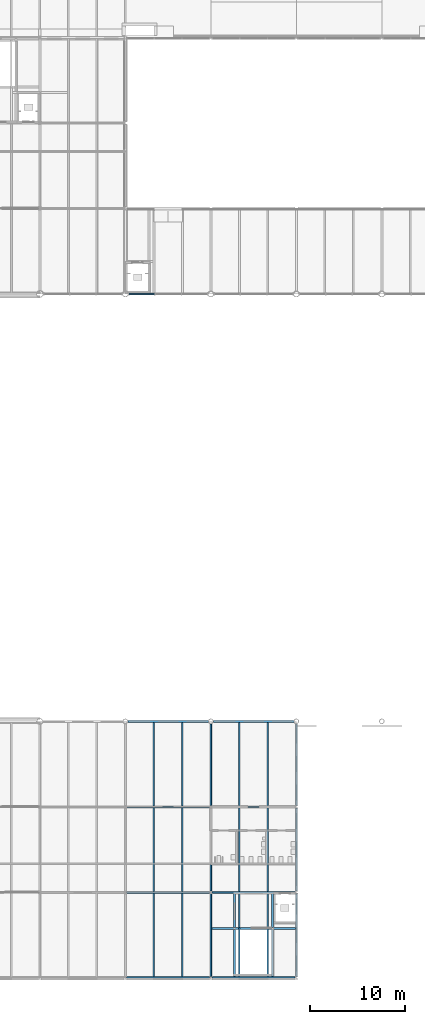
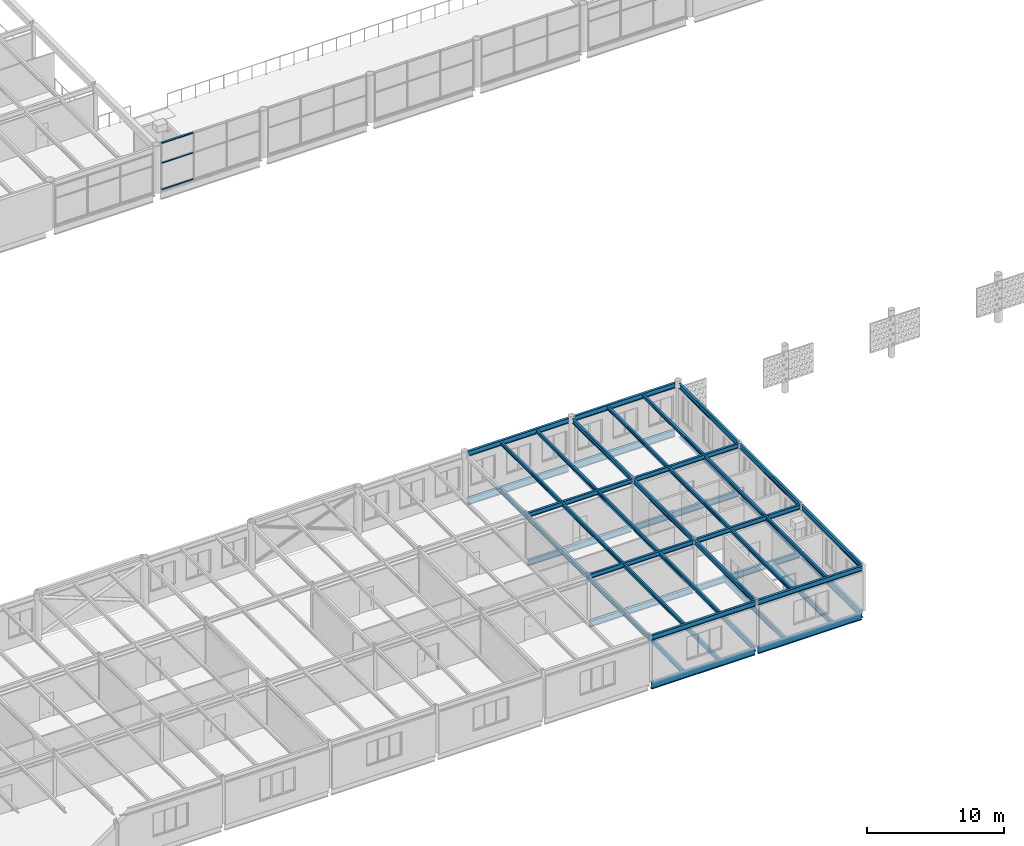
# One storey, part 40 of 123: 57 beams, 3 members, 1 element without a shape of its own.
"""IFC4 building model written with IfcOpenShell, lengths in metres."""

import ifcopenshell
import ifcopenshell.guid

model = None  # the IFC model being written
_history = None  # IfcOwnerHistory: only IFC2X3 demands one
_inside = {}  # id of a spatial element -> (the spatial element, [elements in it])
_under = {}  # id of a project, library or spatial element -> (it, [spatial elements below it])
_declared = {}  # id of a project -> (the project, [libraries it declares])
_typed = {}  # id of a type object -> (the type object, [elements of that type])
_made_of = {}  # id of a material, layer set ... -> (it, [elements and type objects made of it])


def new_model(schema):
    """Start an empty IFC model of exactly this schema.

    Asked for "IFC4X3", IfcOpenShell would pick the latest addendum, in which some entities
    have other attributes; the version numbers below select the first issue.
    IFC2X3 requires an IfcOwnerHistory on every rooted entity: one is made here for all.
    """
    global model, _history
    if schema == "IFC4X3":
        model = ifcopenshell.file(schema_version=(4, 3, 0, 0))
    else:
        model = ifcopenshell.file(schema=schema)
    _inside.clear()
    _under.clear()
    _declared.clear()
    _typed.clear()
    _made_of.clear()
    _history = None
    if model.schema == "IFC2X3":
        org = make("IfcOrganization", Name="unknown")
        user = make(
            "IfcPersonAndOrganization",
            ThePerson=make("IfcPerson", FamilyName="unknown"),
            TheOrganization=org,
        )
        app = make(
            "IfcApplication",
            ApplicationDeveloper=org,
            Version="unknown",
            ApplicationFullName="unknown",
            ApplicationIdentifier="unknown",
        )
        _history = make(
            "IfcOwnerHistory",
            OwningUser=user,
            OwningApplication=app,
            ChangeAction="ADDED",
            CreationDate=0,
        )
    return model


def make(cls, **values):
    """One entity of the class cls with the attributes given. An attribute that is None is left unset."""
    return model.create_entity(
        cls, **{name: value for name, value in values.items() if value is not None}
    )


def rooted(cls, **values):
    """An entity with a GlobalId (a new one), such as an element, a storey or a relation."""
    return make(cls, GlobalId=ifcopenshell.guid.new(), OwnerHistory=_history, **values)


def si_unit(unit_type, name, prefix=None):
    """IfcSIUnit, for example si_unit("LENGTHUNIT", "METRE", prefix="MILLI")."""
    return make("IfcSIUnit", UnitType=unit_type, Prefix=prefix, Name=name)


def assignment(units):
    """IfcUnitAssignment: the units of a project."""
    return None if units is None else make("IfcUnitAssignment", Units=units)


def point(xyz):
    """IfcCartesianPoint."""
    return None if xyz is None else make("IfcCartesianPoint", Coordinates=xyz)


def direction(xyz):
    """IfcDirection."""
    return None if xyz is None else make("IfcDirection", DirectionRatios=xyz)


def frame(location, z_axis=None, x_axis=None):
    """IfcAxis2Placement3D, a coordinate frame: its origin and axes. An axis left out is left unset."""
    return make(
        "IfcAxis2Placement3D",
        Location=point(location),
        Axis=direction(z_axis),
        RefDirection=direction(x_axis),
    )


def frame_2d(location, x_axis=None):
    """IfcAxis2Placement2D, a coordinate frame in the plane: its origin and x axis."""
    return make(
        "IfcAxis2Placement2D", Location=point(location), RefDirection=direction(x_axis)
    )


def origin():
    """The frame at (0, 0, 0) with its axes left unset."""
    return frame((0.0, 0.0, 0.0))


def origin_2d():
    """The frame at (0, 0) in the plane with its x axis left unset."""
    return frame_2d((0.0, 0.0))


def place(relative_to, where):
    """IfcLocalPlacement: puts the frame where relative to a parent placement (None: the world)."""
    return make(
        "IfcLocalPlacement", PlacementRelTo=relative_to, RelativePlacement=where
    )


def context(
    kind, dimensions, precision=None, world=None, true_north=None, identifier=None
):
    """IfcGeometricRepresentationContext, for example the 3D "Model" context."""
    return make(
        "IfcGeometricRepresentationContext",
        ContextIdentifier=identifier,
        ContextType=kind,
        CoordinateSpaceDimension=dimensions,
        Precision=precision,
        WorldCoordinateSystem=world,
        TrueNorth=true_north,
    )


def subcontext(parent, identifier, kind, view, scale=None):
    """IfcGeometricRepresentationSubContext, for example "Body" below "Model"."""
    return make(
        "IfcGeometricRepresentationSubContext",
        ContextIdentifier=identifier,
        ContextType=kind,
        ParentContext=parent,
        TargetScale=scale,
        TargetView=view,
    )


def project(units=None, contexts=None):
    """IfcProject with its units and contexts."""
    return rooted(
        "IfcProject",
        Name="project",
        RepresentationContexts=contexts,
        UnitsInContext=assignment(units),
    )


def spatial(cls, under=None, at=None, **own):
    """A site, building, storey or space (cls), placed at a placement, below another one or the project."""
    s = rooted(cls, ObjectPlacement=at, **own)
    if under is not None:
        _under.setdefault(under.id(), (under, []))[1].append(s)
    return s


def profile(cls, at=None, kind="AREA", **sizes):
    """A parametric profile (cls). Its sizes go by their IFC names, for example OverallWidth=200.0."""
    return make(cls, ProfileType=kind, Position=at, **sizes)


def rectangle(**sizes):
    """IfcRectangleProfileDef."""
    return profile("IfcRectangleProfileDef", **sizes)


def i_section(**sizes):
    """IfcIShapeProfileDef."""
    return profile("IfcIShapeProfileDef", **sizes)


def extrude(swept, where, along, depth):
    """IfcExtrudedAreaSolid: the profile swept, set in the frame where, extruded along a direction by depth."""
    return make(
        "IfcExtrudedAreaSolid",
        SweptArea=swept,
        Position=where,
        ExtrudedDirection=direction(along),
        Depth=depth,
    )


def shape(context_of_items, identifier, shape_type, items):
    """IfcShapeRepresentation: the items that make up one representation, for example the "Body"."""
    return make(
        "IfcShapeRepresentation",
        ContextOfItems=context_of_items,
        RepresentationIdentifier=identifier,
        RepresentationType=shape_type,
        Items=items,
    )


def material(Name=None, Category=None):
    """IfcMaterial."""
    return make("IfcMaterial", Name=Name, Category=Category)


def material_profile(
    of_material, cross_section, Name=None, Category=None, Priority=None
):
    """IfcMaterialProfile: a cross section and its material."""
    return make(
        "IfcMaterialProfile",
        Name=Name,
        Material=of_material,
        Profile=cross_section,
        Priority=Priority,
        Category=Category,
    )


def profile_set(profiles, Name=None, composite=None):
    """IfcMaterialProfileSet."""
    return make(
        "IfcMaterialProfileSet",
        Name=Name,
        MaterialProfiles=profiles,
        CompositeProfile=composite,
    )


def made_of(thing, what):
    """Note that an element or type object is made of a material, layer set ...; save() writes the relation."""
    if what is not None:
        _made_of.setdefault(what.id(), (what, []))[1].append(thing)
    return thing


def type_object(cls, material=None, **own):
    """A type object (cls), such as IfcWallType, which elements share."""
    return made_of(rooted(cls, **own), material)


def element(
    cls,
    number,
    at=None,
    inside=None,
    cuts=None,
    type_object=None,
    material=None,
    context=None,
    identifier="Body",
    shape_type=None,
    held_by="IfcProductDefinitionShape",
    body=None,
    shapes=None,
    **own,
):
    """One element of the class cls, such as IfcWall. Its Tag is "e" and its number.

    at: its placement. inside: the storey or other place that contains it. cuts: it is an
    opening in that element (IfcRelVoidsElement). A single representation is given by context,
    identifier, shape_type and body (its items); several are given by shapes. held_by: the class
    of the entity that holds the representations. save() writes the other relations.
    """
    e = rooted(cls, Tag="e%d" % number, ObjectPlacement=at, **own)
    if body is not None:
        shapes = [shape(context, identifier, shape_type, body)]
    if shapes is not None:
        e.Representation = make(held_by, Representations=shapes)
    if inside is not None:
        _inside.setdefault(inside.id(), (inside, []))[1].append(e)
    if cuts is not None:
        rooted(
            "IfcRelVoidsElement", RelatingBuildingElement=cuts, RelatedOpeningElement=e
        )
    if type_object is not None:
        _typed.setdefault(type_object.id(), (type_object, []))[1].append(e)
    return made_of(e, material)


def aggregate(whole, parts):
    """IfcRelAggregates: a whole, such as a stair, and the parts it consists of."""
    return rooted("IfcRelAggregates", RelatingObject=whole, RelatedObjects=parts)


def save(model, path):
    """Write the relations noted so far, then the file.

    IfcRelAggregates (storeys below a building ...), IfcRelContainedInSpatialStructure (elements
    in a storey), IfcRelDefinesByType, IfcRelAssociatesMaterial and IfcRelDeclares: one each for
    every whole, place, type object, material and project.
    """
    for whole, parts in _under.values():
        aggregate(whole, parts)
    for where, things in _inside.values():
        rooted(
            "IfcRelContainedInSpatialStructure",
            RelatedElements=things,
            RelatingStructure=where,
        )
    for kind, things in _typed.values():
        rooted("IfcRelDefinesByType", RelatedObjects=things, RelatingType=kind)
    for what, things in _made_of.values():
        rooted("IfcRelAssociatesMaterial", RelatedObjects=things, RelatingMaterial=what)
    for by, libraries in _declared.values():
        rooted("IfcRelDeclares", RelatingContext=by, RelatedDefinitions=libraries)
    model.write(path)


model = new_model("IFC4")

# Units and contexts
model_context = context("Model", 3, precision=1e-05, world=origin(), true_north=direction((0.0, 1.0)))
body_context = subcontext(model_context, "Body", "Model", "MODEL_VIEW")
ifc_project = project(units=[si_unit("LENGTHUNIT", "METRE"), si_unit("AREAUNIT", "SQUARE_METRE"), si_unit("VOLUMEUNIT", "CUBIC_METRE"), si_unit("PLANEANGLEUNIT", "RADIAN"), si_unit("MASSUNIT", "GRAM", prefix="KILO")], contexts=[model_context])

# Site, building, storey
site_placement = place(None, origin())
site = spatial("IfcSite", under=ifc_project, at=site_placement, CompositionType="ELEMENT")
building_placement = place(site_placement, origin())
building = spatial("IfcBuilding", under=site, at=building_placement, Name="Baradari Gate Terminus", CompositionType="ELEMENT")
storey_placement = place(building_placement, frame((0.0, 0.0, 7.5)))
storey = spatial("IfcBuildingStorey", under=building, at=storey_placement, Name="L01", CompositionType="ELEMENT", Elevation=7.5)

# Curtain wall, members
ifc_material_1 = material(Name="Aluminium 6063-T6", Category="aluminium")
curtain_wall_type = type_object("IfcCurtainWallType", Name="Curtain wall CW-11 concourse gallery glazing, other height", PredefinedType="NOTDEFINED", material=ifc_material_1)
curtain_wall_placement = place(storey_placement, origin())
curtain_wall = element("IfcCurtainWall", 1, at=curtain_wall_placement, inside=storey, type_object=curtain_wall_type, Name="Glazed curtain wall CW-11 HS bay 16 L01", PredefinedType="NOTDEFINED")
ifc_material_2 = material(Name="Aluminium 6063-T6", Category="aluminium")
ifc_material_profile_1 = material_profile(ifc_material_2, rectangle(XDim=0.159912109375, YDim=0.080078125, at=origin_2d()), Name="CT-11 80X160")
ifc_profile_set_1 = profile_set([ifc_material_profile_1], Name="Aluminium 6063-T6")
member_type = type_object("IfcMemberType", Name="Curtain wall transom CT-11 80x160", PredefinedType="USERDEFINED", material=ifc_profile_set_1)
member_1_placement = place(storey_placement, frame((135.385009765625, 81.0, 0.0400390625), z_axis=(1.0, 0.0, 0.0), x_axis=(0.0, 1.0, 0.0)))
member_1 = element("IfcMember", 2, at=member_1_placement, type_object=member_type, Name="CW-11 transom 1.1", ObjectType="TRANSOM", PredefinedType="USERDEFINED", context=body_context, shape_type="SweptSolid", body=[
    extrude(rectangle(XDim=0.159912109375, YDim=0.080078125, at=origin_2d()), origin(), (0.0, 0.0, 1.0), 2.6767578125),
])
member_2_placement = place(storey_placement, frame((135.385009765625, 81.0, 2.39990234375), z_axis=(1.0, 0.0, 0.0), x_axis=(0.0, 1.0, 0.0)))
member_2 = element("IfcMember", 3, at=member_2_placement, type_object=member_type, Name="CW-11 transom 1.2", ObjectType="TRANSOM", PredefinedType="USERDEFINED", context=body_context, shape_type="SweptSolid", body=[
    extrude(rectangle(XDim=0.159912109375, YDim=0.080078125, at=origin_2d()), origin(), (0.0, 0.0, 1.0), 2.6767578125),
])
member_3_placement = place(storey_placement, frame((135.385009765625, 81.0, 4.159912109375), z_axis=(1.0, 0.0, 0.0), x_axis=(0.0, 1.0, 0.0)))
member_3 = element("IfcMember", 4, at=member_3_placement, type_object=member_type, Name="CW-11 transom 1.3", ObjectType="TRANSOM", PredefinedType="USERDEFINED", context=body_context, shape_type="SweptSolid", body=[
    extrude(rectangle(XDim=0.159912109375, YDim=0.080078125, at=origin_2d()), origin(), (0.0, 0.0, 1.0), 2.6767578125),
])
aggregate(curtain_wall, [member_1, member_2, member_3])

# Beams
ifc_material_3 = material(Name="Steel S355", Category="steel")
ifc_material_profile_2 = material_profile(ifc_material_3, i_section(OverallWidth=0.19140625, OverallDepth=0.4599609375, WebThickness=0.010009765625, FlangeThickness=0.01611328125, FilletRadius=0.01025390625, at=origin_2d()), Name="UB 457x191x82")
ifc_profile_set_2 = profile_set([ifc_material_profile_2], Name="Steel S355")
beam_type_1 = type_object("IfcBeamType", Name="South wing cross girder B18 UB 457x191x82", PredefinedType="BEAM", material=ifc_profile_set_2)
beam_1_placement = place(storey_placement, frame((144.0, 9.127197265625, -0.360107421875), z_axis=(0.0, 1.0, 0.0), x_axis=(-1.0, 0.0, 0.0)))
element("IfcBeam", 5, at=beam_1_placement, inside=storey, type_object=beam_type_1, Name="South wing cross girder B18 17:9.127-17.87 L01", PredefinedType="BEAM", context=body_context, shape_type="SweptSolid", body=[
    extrude(i_section(OverallWidth=0.19140625, OverallDepth=0.4599609375, WebThickness=0.010009765625, FlangeThickness=0.01611328125, FilletRadius=0.01025390625, at=origin_2d()), origin(), (0.0, 0.0, 1.0), 8.74267578125),
])
beam_2_placement = place(storey_placement, frame((144.0, 18.130126953125, -0.360107421875), z_axis=(0.0, 1.0, 0.0), x_axis=(-1.0, 0.0, 0.0)))
element("IfcBeam", 6, at=beam_2_placement, inside=storey, type_object=beam_type_1, Name="South wing cross girder B18 17:18.13-26.87 L01", PredefinedType="BEAM", context=body_context, shape_type="SweptSolid", body=[
    extrude(i_section(OverallWidth=0.19140625, OverallDepth=0.4599609375, WebThickness=0.010009765625, FlangeThickness=0.01611328125, FilletRadius=0.01025390625, at=origin_2d()), origin(), (0.0, 0.0, 1.0), 8.73974609375),
])
beam_3_placement = place(storey_placement, frame((144.0, 27.130126953125, -0.360107421875), z_axis=(0.0, 1.0, 0.0), x_axis=(-1.0, 0.0, 0.0)))
element("IfcBeam", 7, at=beam_3_placement, inside=storey, type_object=beam_type_1, Name="South wing cross girder B18 17:27.13-35.746 L01", PredefinedType="BEAM", context=body_context, shape_type="SweptSolid", body=[
    extrude(i_section(OverallWidth=0.19140625, OverallDepth=0.4599609375, WebThickness=0.010009765625, FlangeThickness=0.01611328125, FilletRadius=0.01025390625, at=origin_2d()), origin(), (0.0, 0.0, 1.0), 8.615966796875),
])
ifc_material_4 = material(Name="Steel S355", Category="steel")
ifc_material_profile_3 = material_profile(ifc_material_4, i_section(OverallWidth=0.2275390625, OverallDepth=0.6025390625, WebThickness=0.010498046875, FlangeThickness=0.014892578125, FilletRadius=0.0126953125, at=origin_2d()), Name="UB 610x229x101")
ifc_profile_set_3 = profile_set([ifc_material_profile_3], Name="Steel S355")
beam_type_2 = type_object("IfcBeamType", Name="South wing edge girder B14 UB 610x229x101", PredefinedType="BEAM", material=ifc_profile_set_3)
for number, where, z_axis, x_axis, name in (
    (8, (135.127197265625, 9.0, -0.431396484375), (1.0, 0.0, 0.0), (0.0, 1.0, 0.0), "South wing edge girder B14 B:135.127-143.873 L01"),
    (9, (144.127197265625, 9.0, -0.431396484375), (1.0, 0.0, 0.0), (0.0, 1.0, 0.0), "South wing edge girder B14 B:144.127-152.873 L01"),
):
    element("IfcBeam", number, at=place(storey_placement, frame(where, z_axis=z_axis, x_axis=x_axis)), inside=storey, type_object=beam_type_2, Name=name, PredefinedType="BEAM", context=body_context, shape_type="SweptSolid", body=[
        extrude(i_section(OverallWidth=0.2275390625, OverallDepth=0.6025390625, WebThickness=0.010498046875, FlangeThickness=0.014892578125, FilletRadius=0.0126953125, at=origin_2d()), origin(), (0.0, 0.0, 1.0), 8.74560546875),
    ])
for number, where, z_axis, x_axis, name in (
    (10, (135.25390625, 36.0, -0.431396484375), (1.0, 0.0, 0.0), (0.0, 1.0, 0.0), "South wing edge girder B14 E:135.254-143.746 L01"),
    (11, (144.25390625, 36.0, -0.431396484375), (1.0, 0.0, 0.0), (0.0, 1.0, 0.0), "South wing edge girder B14 E:144.254-152.746 L01"),
):
    element("IfcBeam", number, at=place(storey_placement, frame(where, z_axis=z_axis, x_axis=x_axis)), inside=storey, type_object=beam_type_2, Name=name, PredefinedType="BEAM", context=body_context, shape_type="SweptSolid", body=[
        extrude(i_section(OverallWidth=0.2275390625, OverallDepth=0.6025390625, WebThickness=0.010498046875, FlangeThickness=0.014892578125, FilletRadius=0.0126953125, at=origin_2d()), origin(), (0.0, 0.0, 1.0), 8.4921875),
    ])
beam_4_placement = place(storey_placement, frame((153.0, 9.127197265625, -0.431396484375), z_axis=(0.0, 1.0, 0.0), x_axis=(-1.0, 0.0, 0.0)))
element("IfcBeam", 12, at=beam_4_placement, inside=storey, type_object=beam_type_2, Name="South wing edge girder B14 18:9.127-17.87 L01", PredefinedType="BEAM", context=body_context, shape_type="SweptSolid", body=[
    extrude(i_section(OverallWidth=0.2275390625, OverallDepth=0.6025390625, WebThickness=0.010498046875, FlangeThickness=0.014892578125, FilletRadius=0.0126953125, at=origin_2d()), origin(), (0.0, 0.0, 1.0), 8.74267578125),
])
beam_5_placement = place(storey_placement, frame((153.0, 18.130126953125, -0.431396484375), z_axis=(0.0, 1.0, 0.0), x_axis=(-1.0, 0.0, 0.0)))
element("IfcBeam", 13, at=beam_5_placement, inside=storey, type_object=beam_type_2, Name="South wing edge girder B14 18:18.13-26.87 L01", PredefinedType="BEAM", context=body_context, shape_type="SweptSolid", body=[
    extrude(i_section(OverallWidth=0.2275390625, OverallDepth=0.6025390625, WebThickness=0.010498046875, FlangeThickness=0.014892578125, FilletRadius=0.0126953125, at=origin_2d()), origin(), (0.0, 0.0, 1.0), 8.73974609375),
])
beam_6_placement = place(storey_placement, frame((153.0, 27.130126953125, -0.431396484375), z_axis=(0.0, 1.0, 0.0), x_axis=(-1.0, 0.0, 0.0)))
element("IfcBeam", 14, at=beam_6_placement, inside=storey, type_object=beam_type_2, Name="South wing edge girder B14 18:27.13-35.746 L01", PredefinedType="BEAM", context=body_context, shape_type="SweptSolid", body=[
    extrude(i_section(OverallWidth=0.2275390625, OverallDepth=0.6025390625, WebThickness=0.010498046875, FlangeThickness=0.014892578125, FilletRadius=0.0126953125, at=origin_2d()), origin(), (0.0, 0.0, 1.0), 8.615966796875),
])
ifc_material_5 = material(Name="Steel S355", Category="steel")
ifc_material_profile_4 = material_profile(ifc_material_5, i_section(OverallWidth=0.210693359375, OverallDepth=0.53955078125, WebThickness=0.01171875, FlangeThickness=0.018798828125, FilletRadius=0.0126953125, at=origin_2d()), Name="UB 533x210x109")
ifc_profile_set_4 = profile_set([ifc_material_profile_4], Name="Steel S355")
beam_type_3 = type_object("IfcBeamType", Name="South wing girder B16 UB 533x210x109", PredefinedType="BEAM", material=ifc_profile_set_4)
for number, where, z_axis, x_axis, name in (
    (15, (135.128173828125, 18.0, -0.399658203125), (1.0, 0.0, 0.0), (0.0, 1.0, 0.0), "South wing girder B16 C:135.128-143.872 L01"),
    (16, (144.128173828125, 18.0, -0.399658203125), (1.0, 0.0, 0.0), (0.0, 1.0, 0.0), "South wing girder B16 C:144.128-152.872 L01"),
    (17, (135.128173828125, 27.0, -0.399658203125), (1.0, 0.0, 0.0), (0.0, 1.0, 0.0), "South wing girder B16 D:135.128-143.872 L01"),
    (18, (144.128173828125, 27.0, -0.399658203125), (1.0, 0.0, 0.0), (0.0, 1.0, 0.0), "South wing girder B16 D:144.128-152.872 L01"),
):
    element("IfcBeam", number, at=place(storey_placement, frame(where, z_axis=z_axis, x_axis=x_axis)), inside=storey, type_object=beam_type_3, Name=name, PredefinedType="BEAM", context=body_context, shape_type="SweptSolid", body=[
        extrude(i_section(OverallWidth=0.210693359375, OverallDepth=0.53955078125, WebThickness=0.01171875, FlangeThickness=0.018798828125, FilletRadius=0.0126953125, at=origin_2d()), origin(), (0.0, 0.0, 1.0), 8.74365234375),
    ])
ifc_material_6 = material(Name="Steel S355", Category="steel")
ifc_material_profile_5 = material_profile(ifc_material_6, i_section(OverallWidth=0.18994140625, OverallDepth=0.453369140625, WebThickness=0.008544921875, FlangeThickness=0.0126953125, FilletRadius=0.01025390625, at=origin_2d()), Name="UB 457x191x67")
ifc_profile_set_5 = profile_set([ifc_material_profile_5], Name="Steel S355")
beam_type_4 = type_object("IfcBeamType", Name="South wing roof edge girder B53 UB 457x191x67", PredefinedType="BEAM", material=ifc_profile_set_5)
for number, where, z_axis, x_axis, name in (
    (19, (135.127197265625, 9.0, 3.8232421875), (1.0, 0.0, 0.0), (0.0, 1.0, 0.0), "South wing roof edge girder B53 B:135.127-143.873 L01"),
    (20, (144.127197265625, 9.0, 3.8232421875), (1.0, 0.0, 0.0), (0.0, 1.0, 0.0), "South wing roof edge girder B53 B:144.127-152.873 L01"),
):
    element("IfcBeam", number, at=place(storey_placement, frame(where, z_axis=z_axis, x_axis=x_axis)), inside=storey, type_object=beam_type_4, Name=name, PredefinedType="BEAM", context=body_context, shape_type="SweptSolid", body=[
        extrude(i_section(OverallWidth=0.18994140625, OverallDepth=0.453369140625, WebThickness=0.008544921875, FlangeThickness=0.0126953125, FilletRadius=0.01025390625, at=origin_2d()), origin(), (0.0, 0.0, 1.0), 8.74560546875),
    ])
for number, where, z_axis, x_axis, name in (
    (21, (135.25390625, 36.0, 3.8232421875), (1.0, 0.0, 0.0), (0.0, 1.0, 0.0), "South wing roof edge girder B53 E:135.254-143.746 L01"),
    (22, (144.25390625, 36.0, 3.8232421875), (1.0, 0.0, 0.0), (0.0, 1.0, 0.0), "South wing roof edge girder B53 E:144.254-152.746 L01"),
):
    element("IfcBeam", number, at=place(storey_placement, frame(where, z_axis=z_axis, x_axis=x_axis)), inside=storey, type_object=beam_type_4, Name=name, PredefinedType="BEAM", context=body_context, shape_type="SweptSolid", body=[
        extrude(i_section(OverallWidth=0.18994140625, OverallDepth=0.453369140625, WebThickness=0.008544921875, FlangeThickness=0.0126953125, FilletRadius=0.01025390625, at=origin_2d()), origin(), (0.0, 0.0, 1.0), 8.4921875),
    ])
beam_7_placement = place(storey_placement, frame((153.0, 9.127197265625, 3.8232421875), z_axis=(0.0, 1.0, 0.0), x_axis=(-1.0, 0.0, 0.0)))
element("IfcBeam", 23, at=beam_7_placement, inside=storey, type_object=beam_type_4, Name="South wing roof edge girder B53 18:9.127-17.87 L01", PredefinedType="BEAM", context=body_context, shape_type="SweptSolid", body=[
    extrude(i_section(OverallWidth=0.18994140625, OverallDepth=0.453369140625, WebThickness=0.008544921875, FlangeThickness=0.0126953125, FilletRadius=0.01025390625, at=origin_2d()), origin(), (0.0, 0.0, 1.0), 8.74267578125),
])
beam_8_placement = place(storey_placement, frame((153.0, 18.130126953125, 3.8232421875), z_axis=(0.0, 1.0, 0.0), x_axis=(-1.0, 0.0, 0.0)))
element("IfcBeam", 24, at=beam_8_placement, inside=storey, type_object=beam_type_4, Name="South wing roof edge girder B53 18:18.13-26.87 L01", PredefinedType="BEAM", context=body_context, shape_type="SweptSolid", body=[
    extrude(i_section(OverallWidth=0.18994140625, OverallDepth=0.453369140625, WebThickness=0.008544921875, FlangeThickness=0.0126953125, FilletRadius=0.01025390625, at=origin_2d()), origin(), (0.0, 0.0, 1.0), 8.73974609375),
])
beam_9_placement = place(storey_placement, frame((153.0, 27.130126953125, 3.8232421875), z_axis=(0.0, 1.0, 0.0), x_axis=(-1.0, 0.0, 0.0)))
element("IfcBeam", 25, at=beam_9_placement, inside=storey, type_object=beam_type_4, Name="South wing roof edge girder B53 18:27.13-35.746 L01", PredefinedType="BEAM", context=body_context, shape_type="SweptSolid", body=[
    extrude(i_section(OverallWidth=0.18994140625, OverallDepth=0.453369140625, WebThickness=0.008544921875, FlangeThickness=0.0126953125, FilletRadius=0.01025390625, at=origin_2d()), origin(), (0.0, 0.0, 1.0), 8.615966796875),
])
ifc_material_7 = material(Name="Steel S355", Category="steel")
ifc_material_profile_6 = material_profile(ifc_material_7, i_section(OverallWidth=0.177978515625, OverallDepth=0.406494140625, WebThickness=0.0078125, FlangeThickness=0.0126953125, FilletRadius=0.01025390625, at=origin_2d()), Name="UB 406x178x60")
ifc_profile_set_6 = profile_set([ifc_material_profile_6], Name="Steel S355")
beam_type_5 = type_object("IfcBeamType", Name="South wing roof girder B54 UB 406x178x60", PredefinedType="BEAM", material=ifc_profile_set_6)
for number, where, z_axis, x_axis, name in (
    (26, (135.128173828125, 18.0, 3.8466796875), (1.0, 0.0, 0.0), (0.0, 1.0, 0.0), "South wing roof girder B54 C:135.128-143.872 L01"),
    (27, (144.128173828125, 18.0, 3.8466796875), (1.0, 0.0, 0.0), (0.0, 1.0, 0.0), "South wing roof girder B54 C:144.128-152.872 L01"),
    (28, (135.128173828125, 27.0, 3.8466796875), (1.0, 0.0, 0.0), (0.0, 1.0, 0.0), "South wing roof girder B54 D:135.128-143.872 L01"),
    (29, (144.128173828125, 27.0, 3.8466796875), (1.0, 0.0, 0.0), (0.0, 1.0, 0.0), "South wing roof girder B54 D:144.128-152.872 L01"),
):
    element("IfcBeam", number, at=place(storey_placement, frame(where, z_axis=z_axis, x_axis=x_axis)), inside=storey, type_object=beam_type_5, Name=name, PredefinedType="BEAM", context=body_context, shape_type="SweptSolid", body=[
        extrude(i_section(OverallWidth=0.177978515625, OverallDepth=0.406494140625, WebThickness=0.0078125, FlangeThickness=0.0126953125, FilletRadius=0.01025390625, at=origin_2d()), origin(), (0.0, 0.0, 1.0), 8.74365234375),
    ])
beam_10_placement = place(storey_placement, frame((144.0, 9.127197265625, 3.8466796875), z_axis=(0.0, 1.0, 0.0), x_axis=(-1.0, 0.0, 0.0)))
element("IfcBeam", 30, at=beam_10_placement, inside=storey, type_object=beam_type_5, Name="South wing roof girder B54 17:9.127-17.87 L01", PredefinedType="BEAM", context=body_context, shape_type="SweptSolid", body=[
    extrude(i_section(OverallWidth=0.177978515625, OverallDepth=0.406494140625, WebThickness=0.0078125, FlangeThickness=0.0126953125, FilletRadius=0.01025390625, at=origin_2d()), origin(), (0.0, 0.0, 1.0), 8.74267578125),
])
beam_11_placement = place(storey_placement, frame((144.0, 18.130126953125, 3.8466796875), z_axis=(0.0, 1.0, 0.0), x_axis=(-1.0, 0.0, 0.0)))
element("IfcBeam", 31, at=beam_11_placement, inside=storey, type_object=beam_type_5, Name="South wing roof girder B54 17:18.13-26.87 L01", PredefinedType="BEAM", context=body_context, shape_type="SweptSolid", body=[
    extrude(i_section(OverallWidth=0.177978515625, OverallDepth=0.406494140625, WebThickness=0.0078125, FlangeThickness=0.0126953125, FilletRadius=0.01025390625, at=origin_2d()), origin(), (0.0, 0.0, 1.0), 8.73974609375),
])
beam_12_placement = place(storey_placement, frame((144.0, 27.130126953125, 3.8466796875), z_axis=(0.0, 1.0, 0.0), x_axis=(-1.0, 0.0, 0.0)))
element("IfcBeam", 32, at=beam_12_placement, inside=storey, type_object=beam_type_5, Name="South wing roof girder B54 17:27.13-35.746 L01", PredefinedType="BEAM", context=body_context, shape_type="SweptSolid", body=[
    extrude(i_section(OverallWidth=0.177978515625, OverallDepth=0.406494140625, WebThickness=0.0078125, FlangeThickness=0.0126953125, FilletRadius=0.01025390625, at=origin_2d()), origin(), (0.0, 0.0, 1.0), 8.615966796875),
])
ifc_material_8 = material(Name="Steel S355", Category="steel")
ifc_material_profile_7 = material_profile(ifc_material_8, i_section(OverallWidth=0.1650390625, OverallDepth=0.303466796875, WebThickness=0.006103515625, FlangeThickness=0.01025390625, FilletRadius=0.0087890625, at=origin_2d()), Name="UB 305x165x40")
ifc_profile_set_7 = profile_set([ifc_material_profile_7], Name="Steel S355")
beam_type_6 = type_object("IfcBeamType", Name="South wing roof secondary beam B55 UB 305x165x40", PredefinedType="BEAM", material=ifc_profile_set_7)
beam_13_placement = place(storey_placement, frame((138.0, 9.094970703125, 3.898193359375), z_axis=(0.0, 1.0, 0.0), x_axis=(-1.0, 0.0, 0.0)))
element("IfcBeam", 33, at=beam_13_placement, inside=storey, type_object=beam_type_6, Name="South wing roof secondary beam B55 138:9.095-17.911 L01", PredefinedType="BEAM", context=body_context, shape_type="SweptSolid", body=[
    extrude(i_section(OverallWidth=0.1650390625, OverallDepth=0.303466796875, WebThickness=0.006103515625, FlangeThickness=0.01025390625, FilletRadius=0.0087890625, at=origin_2d()), origin(), (0.0, 0.0, 1.0), 8.81591796875),
])
beam_14_placement = place(storey_placement, frame((138.0, 18.089111328125, 3.898193359375), z_axis=(0.0, 1.0, 0.0), x_axis=(-1.0, 0.0, 0.0)))
element("IfcBeam", 34, at=beam_14_placement, inside=storey, type_object=beam_type_6, Name="South wing roof secondary beam B55 138:18.089-26.911 L01", PredefinedType="BEAM", context=body_context, shape_type="SweptSolid", body=[
    extrude(i_section(OverallWidth=0.1650390625, OverallDepth=0.303466796875, WebThickness=0.006103515625, FlangeThickness=0.01025390625, FilletRadius=0.0087890625, at=origin_2d()), origin(), (0.0, 0.0, 1.0), 8.82177734375),
])
for number, where, z_axis, x_axis, name in (
    (35, (138.0, 27.089111328125, 3.898193359375), (0.0, 1.0, 0.0), (-1.0, 0.0, 0.0), "South wing roof secondary beam B55 138:27.089-35.905 L01"),
    (36, (141.0, 9.094970703125, 3.898193359375), (0.0, 1.0, 0.0), (-1.0, 0.0, 0.0), "South wing roof secondary beam B55 141:9.095-17.911 L01"),
):
    element("IfcBeam", number, at=place(storey_placement, frame(where, z_axis=z_axis, x_axis=x_axis)), inside=storey, type_object=beam_type_6, Name=name, PredefinedType="BEAM", context=body_context, shape_type="SweptSolid", body=[
        extrude(i_section(OverallWidth=0.1650390625, OverallDepth=0.303466796875, WebThickness=0.006103515625, FlangeThickness=0.01025390625, FilletRadius=0.0087890625, at=origin_2d()), origin(), (0.0, 0.0, 1.0), 8.81591796875),
    ])
beam_15_placement = place(storey_placement, frame((141.0, 18.089111328125, 3.898193359375), z_axis=(0.0, 1.0, 0.0), x_axis=(-1.0, 0.0, 0.0)))
element("IfcBeam", 37, at=beam_15_placement, inside=storey, type_object=beam_type_6, Name="South wing roof secondary beam B55 141:18.089-26.911 L01", PredefinedType="BEAM", context=body_context, shape_type="SweptSolid", body=[
    extrude(i_section(OverallWidth=0.1650390625, OverallDepth=0.303466796875, WebThickness=0.006103515625, FlangeThickness=0.01025390625, FilletRadius=0.0087890625, at=origin_2d()), origin(), (0.0, 0.0, 1.0), 8.82177734375),
])
for number, where, z_axis, x_axis, name in (
    (38, (141.0, 27.089111328125, 3.898193359375), (0.0, 1.0, 0.0), (-1.0, 0.0, 0.0), "South wing roof secondary beam B55 141:27.089-35.905 L01"),
    (39, (147.0, 9.094970703125, 3.898193359375), (0.0, 1.0, 0.0), (-1.0, 0.0, 0.0), "South wing roof secondary beam B55 147:9.095-17.911 L01"),
):
    element("IfcBeam", number, at=place(storey_placement, frame(where, z_axis=z_axis, x_axis=x_axis)), inside=storey, type_object=beam_type_6, Name=name, PredefinedType="BEAM", context=body_context, shape_type="SweptSolid", body=[
        extrude(i_section(OverallWidth=0.1650390625, OverallDepth=0.303466796875, WebThickness=0.006103515625, FlangeThickness=0.01025390625, FilletRadius=0.0087890625, at=origin_2d()), origin(), (0.0, 0.0, 1.0), 8.81591796875),
    ])
beam_16_placement = place(storey_placement, frame((147.0, 18.089111328125, 3.898193359375), z_axis=(0.0, 1.0, 0.0), x_axis=(-1.0, 0.0, 0.0)))
element("IfcBeam", 40, at=beam_16_placement, inside=storey, type_object=beam_type_6, Name="South wing roof secondary beam B55 147:18.089-26.911 L01", PredefinedType="BEAM", context=body_context, shape_type="SweptSolid", body=[
    extrude(i_section(OverallWidth=0.1650390625, OverallDepth=0.303466796875, WebThickness=0.006103515625, FlangeThickness=0.01025390625, FilletRadius=0.0087890625, at=origin_2d()), origin(), (0.0, 0.0, 1.0), 8.82177734375),
])
for number, where, z_axis, x_axis, name in (
    (41, (147.0, 27.089111328125, 3.898193359375), (0.0, 1.0, 0.0), (-1.0, 0.0, 0.0), "South wing roof secondary beam B55 147:27.089-35.905 L01"),
    (42, (150.0, 9.094970703125, 3.898193359375), (0.0, 1.0, 0.0), (-1.0, 0.0, 0.0), "South wing roof secondary beam B55 150:9.095-17.911 L01"),
):
    element("IfcBeam", number, at=place(storey_placement, frame(where, z_axis=z_axis, x_axis=x_axis)), inside=storey, type_object=beam_type_6, Name=name, PredefinedType="BEAM", context=body_context, shape_type="SweptSolid", body=[
        extrude(i_section(OverallWidth=0.1650390625, OverallDepth=0.303466796875, WebThickness=0.006103515625, FlangeThickness=0.01025390625, FilletRadius=0.0087890625, at=origin_2d()), origin(), (0.0, 0.0, 1.0), 8.81591796875),
    ])
beam_17_placement = place(storey_placement, frame((150.0, 18.089111328125, 3.898193359375), z_axis=(0.0, 1.0, 0.0), x_axis=(-1.0, 0.0, 0.0)))
element("IfcBeam", 43, at=beam_17_placement, inside=storey, type_object=beam_type_6, Name="South wing roof secondary beam B55 150:18.089-26.911 L01", PredefinedType="BEAM", context=body_context, shape_type="SweptSolid", body=[
    extrude(i_section(OverallWidth=0.1650390625, OverallDepth=0.303466796875, WebThickness=0.006103515625, FlangeThickness=0.01025390625, FilletRadius=0.0087890625, at=origin_2d()), origin(), (0.0, 0.0, 1.0), 8.82177734375),
])
beam_18_placement = place(storey_placement, frame((150.0, 27.089111328125, 3.898193359375), z_axis=(0.0, 1.0, 0.0), x_axis=(-1.0, 0.0, 0.0)))
element("IfcBeam", 44, at=beam_18_placement, inside=storey, type_object=beam_type_6, Name="South wing roof secondary beam B55 150:27.089-35.905 L01", PredefinedType="BEAM", context=body_context, shape_type="SweptSolid", body=[
    extrude(i_section(OverallWidth=0.1650390625, OverallDepth=0.303466796875, WebThickness=0.006103515625, FlangeThickness=0.01025390625, FilletRadius=0.0087890625, at=origin_2d()), origin(), (0.0, 0.0, 1.0), 8.81591796875),
])
ifc_material_9 = material(Name="Steel S355", Category="steel")
ifc_material_profile_8 = material_profile(ifc_material_9, i_section(OverallWidth=0.177978515625, OverallDepth=0.406494140625, WebThickness=0.0078125, FlangeThickness=0.0126953125, FilletRadius=0.01025390625, at=origin_2d()), Name="UB 406x178x60")
ifc_profile_set_8 = profile_set([ifc_material_profile_8], Name="Steel S355")
beam_type_7 = type_object("IfcBeamType", Name="South wing secondary beam B17 UB 406x178x60", PredefinedType="BEAM", material=ifc_profile_set_8)
beam_19_placement = place(storey_placement, frame((138.0, 9.11376953125, -0.333251953125), z_axis=(0.0, 1.0, 0.0), x_axis=(-1.0, 0.0, 0.0)))
element("IfcBeam", 45, at=beam_19_placement, inside=storey, type_object=beam_type_7, Name="South wing secondary beam B17 138:9.114-17.895 L01", PredefinedType="BEAM", context=body_context, shape_type="SweptSolid", body=[
    extrude(i_section(OverallWidth=0.177978515625, OverallDepth=0.406494140625, WebThickness=0.0078125, FlangeThickness=0.0126953125, FilletRadius=0.01025390625, at=origin_2d()), origin(), (0.0, 0.0, 1.0), 8.78076171875),
])
beam_20_placement = place(storey_placement, frame((138.0, 18.10546875, -0.333251953125), z_axis=(0.0, 1.0, 0.0), x_axis=(-1.0, 0.0, 0.0)))
element("IfcBeam", 46, at=beam_20_placement, inside=storey, type_object=beam_type_7, Name="South wing secondary beam B17 138:18.105-26.895 L01", PredefinedType="BEAM", context=body_context, shape_type="SweptSolid", body=[
    extrude(i_section(OverallWidth=0.177978515625, OverallDepth=0.406494140625, WebThickness=0.0078125, FlangeThickness=0.0126953125, FilletRadius=0.01025390625, at=origin_2d()), origin(), (0.0, 0.0, 1.0), 8.7890625),
])
for number, where, z_axis, x_axis, name in (
    (47, (138.0, 27.10546875, -0.333251953125), (0.0, 1.0, 0.0), (-1.0, 0.0, 0.0), "South wing secondary beam B17 138:27.105-35.886 L01"),
    (48, (141.0, 9.11376953125, -0.333251953125), (0.0, 1.0, 0.0), (-1.0, 0.0, 0.0), "South wing secondary beam B17 141:9.114-17.895 L01"),
):
    element("IfcBeam", number, at=place(storey_placement, frame(where, z_axis=z_axis, x_axis=x_axis)), inside=storey, type_object=beam_type_7, Name=name, PredefinedType="BEAM", context=body_context, shape_type="SweptSolid", body=[
        extrude(i_section(OverallWidth=0.177978515625, OverallDepth=0.406494140625, WebThickness=0.0078125, FlangeThickness=0.0126953125, FilletRadius=0.01025390625, at=origin_2d()), origin(), (0.0, 0.0, 1.0), 8.78076171875),
    ])
beam_21_placement = place(storey_placement, frame((141.0, 18.10546875, -0.333251953125), z_axis=(0.0, 1.0, 0.0), x_axis=(-1.0, 0.0, 0.0)))
element("IfcBeam", 49, at=beam_21_placement, inside=storey, type_object=beam_type_7, Name="South wing secondary beam B17 141:18.105-26.895 L01", PredefinedType="BEAM", context=body_context, shape_type="SweptSolid", body=[
    extrude(i_section(OverallWidth=0.177978515625, OverallDepth=0.406494140625, WebThickness=0.0078125, FlangeThickness=0.0126953125, FilletRadius=0.01025390625, at=origin_2d()), origin(), (0.0, 0.0, 1.0), 8.7890625),
])
beam_22_placement = place(storey_placement, frame((141.0, 27.10546875, -0.333251953125), z_axis=(0.0, 1.0, 0.0), x_axis=(-1.0, 0.0, 0.0)))
element("IfcBeam", 50, at=beam_22_placement, inside=storey, type_object=beam_type_7, Name="South wing secondary beam B17 141:27.105-35.886 L01", PredefinedType="BEAM", context=body_context, shape_type="SweptSolid", body=[
    extrude(i_section(OverallWidth=0.177978515625, OverallDepth=0.406494140625, WebThickness=0.0078125, FlangeThickness=0.0126953125, FilletRadius=0.01025390625, at=origin_2d()), origin(), (0.0, 0.0, 1.0), 8.78076171875),
])
beam_23_placement = place(storey_placement, frame((147.0, 14.294921875, -0.333251953125), z_axis=(0.0, 1.0, 0.0), x_axis=(-1.0, 0.0, 0.0)))
element("IfcBeam", 51, at=beam_23_placement, inside=storey, type_object=beam_type_7, Name="South wing secondary beam B17 147:14.295-17.895 L01", PredefinedType="BEAM", context=body_context, shape_type="SweptSolid", body=[
    extrude(i_section(OverallWidth=0.177978515625, OverallDepth=0.406494140625, WebThickness=0.0078125, FlangeThickness=0.0126953125, FilletRadius=0.01025390625, at=origin_2d()), origin(), (0.0, 0.0, 1.0), 3.599609375),
])
beam_24_placement = place(storey_placement, frame((147.0, 18.10546875, -0.333251953125), z_axis=(0.0, 1.0, 0.0), x_axis=(-1.0, 0.0, 0.0)))
element("IfcBeam", 52, at=beam_24_placement, inside=storey, type_object=beam_type_7, Name="South wing secondary beam B17 147:18.105-26.895 L01", PredefinedType="BEAM", context=body_context, shape_type="SweptSolid", body=[
    extrude(i_section(OverallWidth=0.177978515625, OverallDepth=0.406494140625, WebThickness=0.0078125, FlangeThickness=0.0126953125, FilletRadius=0.01025390625, at=origin_2d()), origin(), (0.0, 0.0, 1.0), 8.7890625),
])
beam_25_placement = place(storey_placement, frame((147.0, 27.10546875, -0.333251953125), z_axis=(0.0, 1.0, 0.0), x_axis=(-1.0, 0.0, 0.0)))
element("IfcBeam", 53, at=beam_25_placement, inside=storey, type_object=beam_type_7, Name="South wing secondary beam B17 147:27.105-35.886 L01", PredefinedType="BEAM", context=body_context, shape_type="SweptSolid", body=[
    extrude(i_section(OverallWidth=0.177978515625, OverallDepth=0.406494140625, WebThickness=0.0078125, FlangeThickness=0.0126953125, FilletRadius=0.01025390625, at=origin_2d()), origin(), (0.0, 0.0, 1.0), 8.78076171875),
])
beam_26_placement = place(storey_placement, frame((150.0, 14.294921875, -0.333251953125), z_axis=(0.0, 1.0, 0.0), x_axis=(-1.0, 0.0, 0.0)))
element("IfcBeam", 54, at=beam_26_placement, inside=storey, type_object=beam_type_7, Name="South wing secondary beam B17 150:14.295-17.895 L01", PredefinedType="BEAM", context=body_context, shape_type="SweptSolid", body=[
    extrude(i_section(OverallWidth=0.177978515625, OverallDepth=0.406494140625, WebThickness=0.0078125, FlangeThickness=0.0126953125, FilletRadius=0.01025390625, at=origin_2d()), origin(), (0.0, 0.0, 1.0), 3.599609375),
])
beam_27_placement = place(storey_placement, frame((150.0, 18.10546875, -0.333251953125), z_axis=(0.0, 1.0, 0.0), x_axis=(-1.0, 0.0, 0.0)))
element("IfcBeam", 55, at=beam_27_placement, inside=storey, type_object=beam_type_7, Name="South wing secondary beam B17 150:18.105-26.895 L01", PredefinedType="BEAM", context=body_context, shape_type="SweptSolid", body=[
    extrude(i_section(OverallWidth=0.177978515625, OverallDepth=0.406494140625, WebThickness=0.0078125, FlangeThickness=0.0126953125, FilletRadius=0.01025390625, at=origin_2d()), origin(), (0.0, 0.0, 1.0), 8.7890625),
])
beam_28_placement = place(storey_placement, frame((150.0, 27.10546875, -0.333251953125), z_axis=(0.0, 1.0, 0.0), x_axis=(-1.0, 0.0, 0.0)))
element("IfcBeam", 56, at=beam_28_placement, inside=storey, type_object=beam_type_7, Name="South wing secondary beam B17 150:27.105-35.886 L01", PredefinedType="BEAM", context=body_context, shape_type="SweptSolid", body=[
    extrude(i_section(OverallWidth=0.177978515625, OverallDepth=0.406494140625, WebThickness=0.0078125, FlangeThickness=0.0126953125, FilletRadius=0.01025390625, at=origin_2d()), origin(), (0.0, 0.0, 1.0), 8.78076171875),
])
ifc_material_10 = material(Name="Steel S355", Category="steel")
ifc_material_profile_9 = material_profile(ifc_material_10, i_section(OverallWidth=0.18994140625, OverallDepth=0.453369140625, WebThickness=0.008544921875, FlangeThickness=0.0126953125, FilletRadius=0.01025390625, at=origin_2d()), Name="UB 457x191x67")
ifc_profile_set_9 = profile_set([ifc_material_profile_9], Name="Steel S355")
beam_type_8 = type_object("IfcBeamType", Name="South wing trimmer beam B15 UB 457x191x67", PredefinedType="BEAM", material=ifc_profile_set_9)
beam_29_placement = place(storey_placement, frame((144.095703125, 14.199951171875, -0.356689453125), z_axis=(1.0, 0.0, 0.0), x_axis=(0.0, 1.0, 0.0)))
element("IfcBeam", 57, at=beam_29_placement, inside=storey, type_object=beam_type_8, Name="South wing trimmer beam B15 14.2:144.096-152.886 L01", PredefinedType="BEAM", context=body_context, shape_type="SweptSolid", body=[
    extrude(i_section(OverallWidth=0.18994140625, OverallDepth=0.453369140625, WebThickness=0.008544921875, FlangeThickness=0.0126953125, FilletRadius=0.01025390625, at=origin_2d()), origin(), (0.0, 0.0, 1.0), 8.79052734375),
])
beam_30_placement = place(storey_placement, frame((146.5048828125, 9.11376953125, -0.356689453125), z_axis=(0.0, 1.0, 0.0), x_axis=(-1.0, 0.0, 0.0)))
element("IfcBeam", 58, at=beam_30_placement, inside=storey, type_object=beam_type_8, Name="South wing trimmer beam B15 146.505:9.114-14.105 L01", PredefinedType="BEAM", context=body_context, shape_type="SweptSolid", body=[
    extrude(i_section(OverallWidth=0.18994140625, OverallDepth=0.453369140625, WebThickness=0.008544921875, FlangeThickness=0.0126953125, FilletRadius=0.01025390625, at=origin_2d()), origin(), (0.0, 0.0, 1.0), 4.9912109375),
])
beam_31_placement = place(storey_placement, frame((146.5048828125, 14.294921875, -0.356689453125), z_axis=(0.0, 1.0, 0.0), x_axis=(-1.0, 0.0, 0.0)))
element("IfcBeam", 59, at=beam_31_placement, inside=storey, type_object=beam_type_8, Name="South wing trimmer beam B15 146.505:14.295-17.895 L01", PredefinedType="BEAM", context=body_context, shape_type="SweptSolid", body=[
    extrude(i_section(OverallWidth=0.18994140625, OverallDepth=0.453369140625, WebThickness=0.008544921875, FlangeThickness=0.0126953125, FilletRadius=0.01025390625, at=origin_2d()), origin(), (0.0, 0.0, 1.0), 3.599609375),
])
beam_32_placement = place(storey_placement, frame((150.4951171875, 9.11376953125, -0.356689453125), z_axis=(0.0, 1.0, 0.0), x_axis=(-1.0, 0.0, 0.0)))
element("IfcBeam", 60, at=beam_32_placement, inside=storey, type_object=beam_type_8, Name="South wing trimmer beam B15 150.495:9.114-14.105 L01", PredefinedType="BEAM", context=body_context, shape_type="SweptSolid", body=[
    extrude(i_section(OverallWidth=0.18994140625, OverallDepth=0.453369140625, WebThickness=0.008544921875, FlangeThickness=0.0126953125, FilletRadius=0.01025390625, at=origin_2d()), origin(), (0.0, 0.0, 1.0), 4.9912109375),
])
beam_33_placement = place(storey_placement, frame((150.4951171875, 14.294921875, -0.356689453125), z_axis=(0.0, 1.0, 0.0), x_axis=(-1.0, 0.0, 0.0)))
element("IfcBeam", 61, at=beam_33_placement, inside=storey, type_object=beam_type_8, Name="South wing trimmer beam B15 150.495:14.295-17.895 L01", PredefinedType="BEAM", context=body_context, shape_type="SweptSolid", body=[
    extrude(i_section(OverallWidth=0.18994140625, OverallDepth=0.453369140625, WebThickness=0.008544921875, FlangeThickness=0.0126953125, FilletRadius=0.01025390625, at=origin_2d()), origin(), (0.0, 0.0, 1.0), 3.599609375),
])

save(model, "model.ifc")
